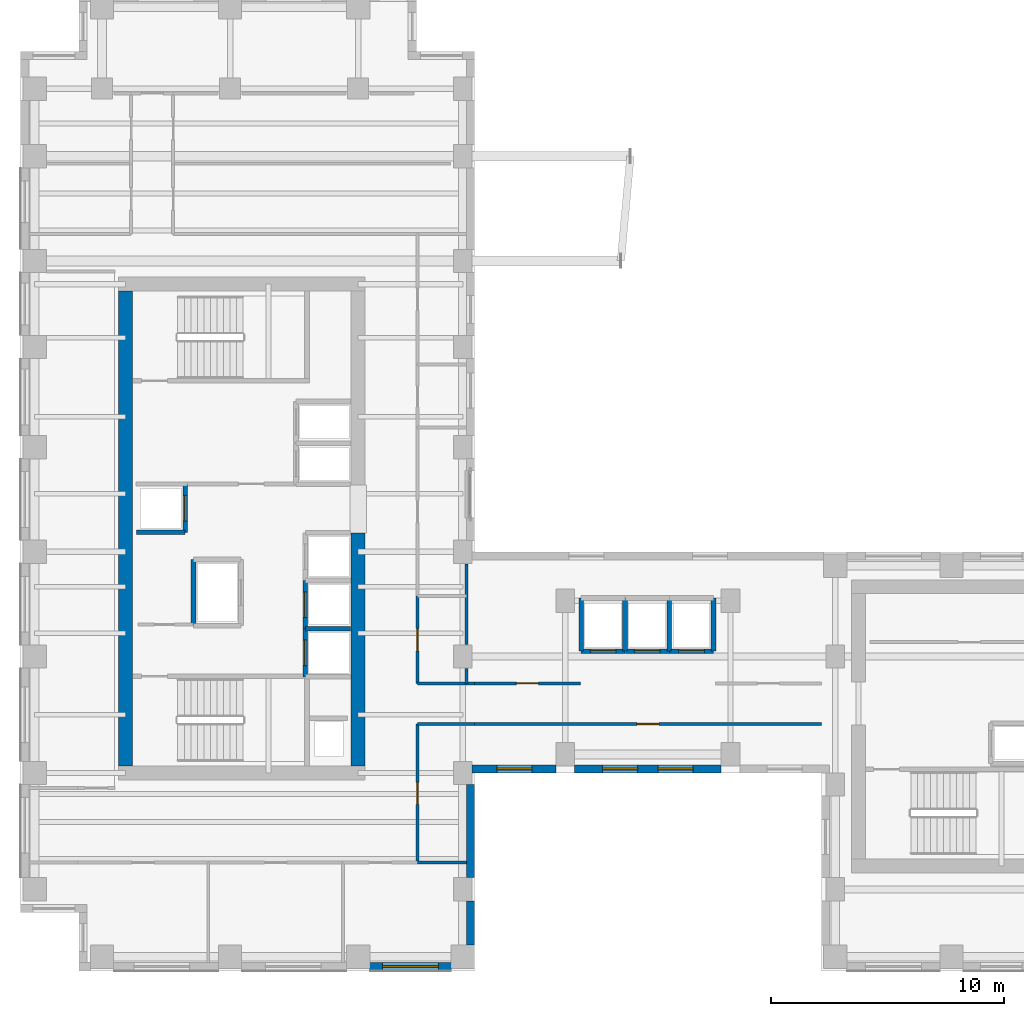
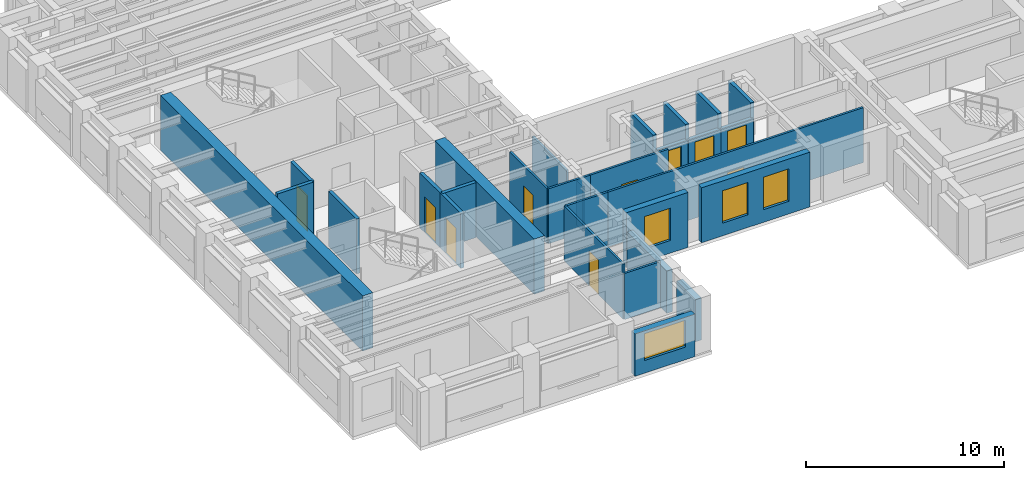
# One storey, part 7 of 14: 29 walls, 10 doors, 4 windows, 14 openings.
"""IFC4 building model written with IfcOpenShell, lengths in metres."""

from ifc_helpers import new_model, si_unit, direction, frame, frame_2d, origin, place, context, subcontext, project, spatial, rectangle, extrude, source, transform, mapped, material, layer, layer_set, type_object, element, fill, save


model = new_model("IFC4")

# Units and contexts
model_context = context("Model", 3, precision=1e-05, world=origin(), true_north=direction((0.0, 1.0)))
body_context = subcontext(model_context, "Body", "Model", "MODEL_VIEW")
ifc_project = project(units=[si_unit("LENGTHUNIT", "METRE"), si_unit("AREAUNIT", "SQUARE_METRE"), si_unit("VOLUMEUNIT", "CUBIC_METRE"), si_unit("PLANEANGLEUNIT", "RADIAN"), si_unit("MASSUNIT", "GRAM", prefix="KILO")], contexts=[model_context])

# Site, building, storey
site_placement = place(None, origin())
site = spatial("IfcSite", under=ifc_project, at=site_placement, CompositionType="ELEMENT")
building_placement = place(site_placement, origin())
building = spatial("IfcBuilding", under=site, at=building_placement, Name="Kharzan Plaza Tower", CompositionType="ELEMENT")
storey_placement = place(building_placement, frame((0.0, 0.0, 168.300048828125)))
storey = spatial("IfcBuildingStorey", under=building, at=storey_placement, Name="L45", CompositionType="ELEMENT", Elevation=168.300048828125)

# Wall, opening, window
ifc_material_1 = material(Name="Concrete C40/50", Category="concrete")
ifc_layer_1 = layer(ifc_material_1, 0.35009765625)
ifc_layer_set_1 = layer_set([ifc_layer_1], Name="Concrete C40/50")
wall_type_1 = type_object("IfcWallType", Name="WL-EXT-MAS-Z3", PredefinedType="SOLIDWALL", material=ifc_layer_set_1)
wall_1_placement = place(storey_placement, frame((14.998046875, 0.175048828125, 0.0), z_axis=(0.0, 0.0, 1.0), x_axis=(1.0, 0.0, 0.0)))
wall_1 = element("IfcWall", 1, at=wall_1_placement, inside=storey, type_object=wall_type_1, Name="L45 Masonry-Frame Exterior Wall 23", PredefinedType="SOLIDWALL", context=body_context, shape_type="SweptSolid", body=[
    extrude(rectangle(XDim=3.50390625, YDim=0.35009765625, at=frame_2d((1.751953125, 0.0))), origin(), (0.0, 0.0, 1.0), 2.612060546875),
])
opening_1_placement = place(wall_1_placement, frame((0.552001953125, 0.0, 0.780029296875)))
opening_1 = element("IfcOpeningElement", 2, at=opening_1_placement, cuts=wall_1, Name="Opening W2", PredefinedType="OPENING", context=body_context, shape_type="SweptSolid", body=[
    extrude(rectangle(XDim=2.39990234375, YDim=1.652099609375, at=frame_2d((1.199951171875, 0.826171875))), frame((0.0, 0.18505859375, 0.0), z_axis=(0.0, -1.0, 0.0), x_axis=(1.0, 0.0, 0.0)), (0.0, 0.0, 1.0), 0.3701171875),
])
ifc_material_2 = material(Name="Low-E Double Glazing", Category="glass")
window_type_1 = type_object("IfcWindowType", Name="WN-REC-2400x2100", PartitioningType="SINGLE_PANEL", PredefinedType="WINDOW", material=ifc_material_2)
shared_shape_1 = source(origin(), body_context, "Body", "SweptSolid", [
    extrude(rectangle(XDim=2.39990234375, YDim=1.652099609375, at=frame_2d((1.199951171875, 0.826171875))), frame((0.0, 0.030029296875, 0.0), z_axis=(0.0, -1.0, 0.0), x_axis=(1.0, 0.0, 0.0)), (0.0, 0.0, 1.0), 0.06005859375),
])
window_1_placement = place(opening_1_placement, origin())
window_1 = element("IfcWindow", 3, at=window_1_placement, inside=storey, type_object=window_type_1, Name="L45 Wide Recessed Solar-Control Window 23-1", OverallHeight=1.652099609375, OverallWidth=2.39990234375, PartitioningType="SINGLE_PANEL", PredefinedType="WINDOW", context=body_context, shape_type="MappedRepresentation", body=[
    mapped(shared_shape_1, transform((0.0, 0.0, 0.0), x_axis=(1.0, 0.0, 0.0), y_axis=(0.0, 1.0, 0.0), z_axis=(0.0, 0.0, 1.0))),
])
fill(opening_1, window_1)

wall_2_placement = place(storey_placement, frame((19.39794921875, 8.675048828125, 0.0), z_axis=(0.0, 0.0, 1.0), x_axis=(1.0, 0.0, 0.0)))
wall_2 = element("IfcWall", 4, at=wall_2_placement, inside=storey, type_object=wall_type_1, Name="L45 Masonry-Frame Exterior Wall 26", PredefinedType="SOLIDWALL", context=body_context, shape_type="SweptSolid", body=[
    extrude(rectangle(XDim=3.60400390625, YDim=0.35009765625, at=frame_2d((1.802001953125, 0.0))), origin(), (0.0, 0.0, 1.0), 3.385009765625),
])
opening_2_placement = place(wall_2_placement, frame((1.067138671875, 0.0, 0.780029296875)))
opening_2 = element("IfcOpeningElement", 5, at=opening_2_placement, cuts=wall_2, Name="Opening W5", PredefinedType="OPENING", context=body_context, shape_type="SweptSolid", body=[
    extrude(rectangle(XDim=1.5, YDim=2.0, at=frame_2d((0.75, 1.0))), frame((0.0, 0.18505859375, 0.0), z_axis=(0.0, -1.0, 0.0), x_axis=(1.0, 0.0, 0.0)), (0.0, 0.0, 1.0), 0.3701171875),
])
window_type_2 = type_object("IfcWindowType", Name="WN-SLT-1500x2000", PartitioningType="SINGLE_PANEL", PredefinedType="WINDOW", material=ifc_material_2)
shared_shape_2 = source(origin(), body_context, "Body", "SweptSolid", [
    extrude(rectangle(XDim=1.5, YDim=2.0, at=frame_2d((0.75, 1.0))), frame((0.0, 0.030029296875, 0.0), z_axis=(0.0, -1.0, 0.0), x_axis=(1.0, 0.0, 0.0)), (0.0, 0.0, 1.0), 0.06005859375),
])
window_2_placement = place(opening_2_placement, origin())
window_2 = element("IfcWindow", 6, at=window_2_placement, inside=storey, type_object=window_type_2, Name="L45 Recessed Solar-Control Window 26-1", OverallHeight=2.0, OverallWidth=1.5, PartitioningType="SINGLE_PANEL", PredefinedType="WINDOW", context=body_context, shape_type="MappedRepresentation", body=[
    mapped(shared_shape_2, transform((0.0, 0.0, 0.0), x_axis=(1.0, 0.0, 0.0), y_axis=(0.0, 1.0, 0.0), z_axis=(0.0, 0.0, 1.0))),
])
fill(opening_2, window_2)

# Wall, openings, windows
wall_3_placement = place(storey_placement, frame((23.798095703125, 8.675048828125, 0.0), z_axis=(0.0, 0.0, 1.0), x_axis=(1.0, 0.0, 0.0)))
wall_3 = element("IfcWall", 7, at=wall_3_placement, inside=storey, type_object=wall_type_1, Name="L45 Masonry-Frame Exterior Wall 27", PredefinedType="SOLIDWALL", context=body_context, shape_type="SweptSolid", body=[
    extrude(rectangle(XDim=6.303955078125, YDim=0.35009765625, at=frame_2d((3.15185546875, 0.0))), origin(), (0.0, 0.0, 1.0), 3.385009765625),
])
opening_3_placement = place(wall_3_placement, frame((1.2080078125, 0.0, 0.780029296875)))
opening_3 = element("IfcOpeningElement", 8, at=opening_3_placement, cuts=wall_3, Name="Opening W5", PredefinedType="OPENING", context=body_context, shape_type="SweptSolid", body=[
    extrude(rectangle(XDim=1.5, YDim=2.0, at=frame_2d((0.75, 1.0))), frame((0.0, 0.18505859375, 0.0), z_axis=(0.0, -1.0, 0.0), x_axis=(1.0, 0.0, 0.0)), (0.0, 0.0, 1.0), 0.3701171875),
])
opening_4_placement = place(wall_3_placement, frame((3.595947265625, 0.0, 0.780029296875)))
opening_4 = element("IfcOpeningElement", 9, at=opening_4_placement, cuts=wall_3, Name="Opening W5", PredefinedType="OPENING", context=body_context, shape_type="SweptSolid", body=[
    extrude(rectangle(XDim=1.5, YDim=2.0, at=frame_2d((0.75, 1.0))), frame((0.0, 0.18505859375, 0.0), z_axis=(0.0, -1.0, 0.0), x_axis=(1.0, 0.0, 0.0)), (0.0, 0.0, 1.0), 0.3701171875),
])
window_3_placement = place(opening_3_placement, origin())
window_3 = element("IfcWindow", 10, at=window_3_placement, inside=storey, type_object=window_type_2, Name="L45 Recessed Solar-Control Window 27-1", OverallHeight=2.0, OverallWidth=1.5, PartitioningType="SINGLE_PANEL", PredefinedType="WINDOW", context=body_context, shape_type="MappedRepresentation", body=[
    mapped(shared_shape_2, transform((0.0, 0.0, 0.0), x_axis=(1.0, 0.0, 0.0), y_axis=(0.0, 1.0, 0.0), z_axis=(0.0, 0.0, 1.0))),
])
fill(opening_3, window_3)
window_4_placement = place(opening_4_placement, origin())
window_4 = element("IfcWindow", 11, at=window_4_placement, inside=storey, type_object=window_type_2, Name="L45 Recessed Solar-Control Window 27-2", OverallHeight=2.0, OverallWidth=1.5, PartitioningType="SINGLE_PANEL", PredefinedType="WINDOW", context=body_context, shape_type="MappedRepresentation", body=[
    mapped(shared_shape_2, transform((0.0, 0.0, 0.0), x_axis=(1.0, 0.0, 0.0), y_axis=(0.0, 1.0, 0.0), z_axis=(0.0, 0.0, 1.0))),
])
fill(opening_4, window_4)

# Wall, opening, door
ifc_material_3 = material(Name="Fire-Rated Gypsum Board Partition", Category="gypsum")
ifc_layer_2 = layer(ifc_material_3, 0.125)
ifc_layer_set_2 = layer_set([ifc_layer_2], Name="Fire-Rated Gypsum Board Partition")
wall_type_2 = type_object("IfcWallType", Name="WL-INT-PART-125", PredefinedType="PARTITIONING", material=ifc_layer_set_2)
wall_4_placement = place(storey_placement, frame((17.050048828125, 12.35009765625, 0.0), z_axis=(0.0, 0.0, 1.0), x_axis=(0.0, 1.0, 0.0)))
wall_4 = element("IfcWall", 12, at=wall_4_placement, inside=storey, type_object=wall_type_2, Name="L45 Interior Partition SH-AEWN1", PredefinedType="PARTITIONING", context=body_context, shape_type="SweptSolid", body=[
    extrude(rectangle(XDim=3.75, YDim=0.125, at=frame_2d((1.875, 0.0))), origin(), (0.0, 0.0, 1.0), 3.385009765625),
])
opening_5_placement = place(wall_4_placement, frame((1.39990234375, 0.0, 0.0)))
opening_5 = element("IfcOpeningElement", 13, at=opening_5_placement, cuts=wall_4, Name="Opening OD1", PredefinedType="OPENING", context=body_context, shape_type="SweptSolid", body=[
    extrude(rectangle(XDim=0.949951171875, YDim=2.14990234375, at=frame_2d((0.47509765625, 1.074951171875))), frame((0.0, 0.072509765625, 0.0), z_axis=(0.0, -1.0, 0.0), x_axis=(1.0, 0.0, 0.0)), (0.0, 0.0, 1.0), 0.14501953125),
])
ifc_material_4 = material(Name="Acoustic Solid-Core Stained Oak", Category="timber")
door_type_1 = type_object("IfcDoorType", Name="DR-OFF-SINGLE", OperationType="NOTDEFINED", PredefinedType="DOOR", material=ifc_material_4)
shared_shape_3 = source(origin(), body_context, "Body", "SweptSolid", [
    extrude(rectangle(XDim=0.949951171875, YDim=2.14990234375, at=frame_2d((0.47509765625, 1.074951171875))), frame((0.0, 0.02490234375, 0.0), z_axis=(0.0, -1.0, 0.0), x_axis=(1.0, 0.0, 0.0)), (0.0, 0.0, 1.0), 0.050048828125),
])
door_1_placement = place(opening_5_placement, origin())
door_1 = element("IfcDoor", 14, at=door_1_placement, inside=storey, type_object=door_type_1, Name="L45 Slot Collaboration Door", OperationType="SINGLE_SWING_RIGHT", OverallHeight=2.14990234375, OverallWidth=0.949951171875, PredefinedType="DOOR", context=body_context, shape_type="MappedRepresentation", body=[
    mapped(shared_shape_3, transform((0.0, 0.0, 0.0), x_axis=(1.0, 0.0, 0.0), y_axis=(0.0, 1.0, 0.0), z_axis=(0.0, 0.0, 1.0))),
])
fill(opening_5, door_1)

wall_5_placement = place(storey_placement, frame((17.050048828125, 4.64990234375, 0.0), z_axis=(0.0, 0.0, 1.0), x_axis=(0.0, 1.0, 0.0)))
wall_5 = element("IfcWall", 15, at=wall_5_placement, inside=storey, type_object=wall_type_2, Name="L45 Interior Partition SH-AEWS", PredefinedType="PARTITIONING", context=body_context, shape_type="SweptSolid", body=[
    extrude(rectangle(XDim=5.9501953125, YDim=0.125, at=frame_2d((2.97509765625, 0.0))), origin(), (0.0, 0.0, 1.0), 3.385009765625),
])
opening_6_placement = place(wall_5_placement, frame((2.5, 0.0, 0.0)))
opening_6 = element("IfcOpeningElement", 16, at=opening_6_placement, cuts=wall_5, Name="Opening OD1", PredefinedType="OPENING", context=body_context, shape_type="SweptSolid", body=[
    extrude(rectangle(XDim=0.949951171875, YDim=2.14990234375, at=frame_2d((0.47509765625, 1.074951171875))), frame((0.0, 0.072509765625, 0.0), z_axis=(0.0, -1.0, 0.0), x_axis=(1.0, 0.0, 0.0)), (0.0, 0.0, 1.0), 0.14501953125),
])
door_2_placement = place(opening_6_placement, origin())
door_2 = element("IfcDoor", 17, at=door_2_placement, inside=storey, type_object=door_type_1, Name="L45 Slot South Office Door", OperationType="SINGLE_SWING_LEFT", OverallHeight=2.14990234375, OverallWidth=0.949951171875, PredefinedType="DOOR", context=body_context, shape_type="MappedRepresentation", body=[
    mapped(shared_shape_3, transform((0.0, 0.0, 0.0), x_axis=(1.0, 0.0, 0.0), y_axis=(0.0, 1.0, 0.0), z_axis=(0.0, 0.0, 1.0))),
])
fill(opening_6, door_2)

wall_6_placement = place(storey_placement, frame((19.5, 12.35009765625, 0.0), z_axis=(0.0, 0.0, 1.0), x_axis=(1.0, 0.0, 0.0)))
wall_6 = element("IfcWall", 18, at=wall_6_placement, inside=storey, type_object=wall_type_2, Name="L45 Interior Partition SH-SPNW1", PredefinedType="PARTITIONING", context=body_context, shape_type="SweptSolid", body=[
    extrude(rectangle(XDim=4.550048828125, YDim=0.125, at=frame_2d((2.27490234375, 0.0))), origin(), (0.0, 0.0, 1.0), 3.385009765625),
])
opening_7_placement = place(wall_6_placement, frame((1.800048828125, 0.0, 0.0)))
opening_7 = element("IfcOpeningElement", 19, at=opening_7_placement, cuts=wall_6, Name="Opening OD1", PredefinedType="OPENING", context=body_context, shape_type="SweptSolid", body=[
    extrude(rectangle(XDim=0.949951171875, YDim=2.14990234375, at=frame_2d((0.47509765625, 1.074951171875))), frame((0.0, 0.072509765625, 0.0), z_axis=(0.0, -1.0, 0.0), x_axis=(1.0, 0.0, 0.0)), (0.0, 0.0, 1.0), 0.14501953125),
])
door_3_placement = place(opening_7_placement, origin())
door_3 = element("IfcDoor", 20, at=door_3_placement, inside=storey, type_object=door_type_1, Name="L45 North-West Spine Door", OperationType="SINGLE_SWING_LEFT", OverallHeight=2.14990234375, OverallWidth=0.949951171875, PredefinedType="DOOR", context=body_context, shape_type="MappedRepresentation", body=[
    mapped(shared_shape_3, transform((0.0, 0.0, 0.0), x_axis=(1.0, 0.0, 0.0), y_axis=(0.0, 1.0, 0.0), z_axis=(0.0, 0.0, 1.0))),
])
fill(opening_7, door_3)

wall_7_placement = place(storey_placement, frame((19.5, 10.60009765625, 0.0), z_axis=(0.0, 0.0, 1.0), x_axis=(1.0, 0.0, 0.0)))
wall_7 = element("IfcWall", 21, at=wall_7_placement, inside=storey, type_object=wall_type_2, Name="L45 Interior Partition SH-SPS1", PredefinedType="PARTITIONING", context=body_context, shape_type="SweptSolid", body=[
    extrude(rectangle(XDim=14.89990234375, YDim=0.125, at=frame_2d((7.449951171875, 0.0))), origin(), (0.0, 0.0, 1.0), 3.385009765625),
])
opening_8_placement = place(wall_7_placement, frame((6.97509765625, 0.0, 0.0)))
opening_8 = element("IfcOpeningElement", 22, at=opening_8_placement, cuts=wall_7, Name="Opening OD1", PredefinedType="OPENING", context=body_context, shape_type="SweptSolid", body=[
    extrude(rectangle(XDim=0.949951171875, YDim=2.14990234375, at=frame_2d((0.47509765625, 1.074951171875))), frame((0.0, 0.072509765625, 0.0), z_axis=(0.0, -1.0, 0.0), x_axis=(1.0, 0.0, 0.0)), (0.0, 0.0, 1.0), 0.14501953125),
])
door_4_placement = place(opening_8_placement, origin())
door_4 = element("IfcDoor", 23, at=door_4_placement, inside=storey, type_object=door_type_1, Name="L45 South Spine Studio Door", OperationType="SINGLE_SWING_RIGHT", OverallHeight=2.14990234375, OverallWidth=0.949951171875, PredefinedType="DOOR", context=body_context, shape_type="MappedRepresentation", body=[
    mapped(shared_shape_3, transform((0.0, 0.0, 0.0), x_axis=(1.0, 0.0, 0.0), y_axis=(0.0, 1.0, 0.0), z_axis=(0.0, 0.0, 1.0))),
])
fill(opening_8, door_4)

ifc_layer_3 = layer(ifc_material_1, 0.199951171875)
ifc_layer_set_3 = layer_set([ifc_layer_3], Name="Concrete C40/50")
wall_type_3 = type_object("IfcWallType", Name="WL-INT-SHAFT-200", PredefinedType="PARTITIONING", material=ifc_layer_set_3)
wall_8_placement = place(storey_placement, frame((12.22998046875, 12.6298828125, 0.0), z_axis=(0.0, 0.0, 1.0), x_axis=(0.0, 1.0, 0.0)))
wall_8 = element("IfcWall", 24, at=wall_8_placement, inside=storey, type_object=wall_type_3, Name="L45 Interior Partition SHF-PL-H1-W", PredefinedType="PARTITIONING", context=body_context, shape_type="SweptSolid", body=[
    extrude(rectangle(XDim=2.070068359375, YDim=0.199951171875, at=frame_2d((1.03515625, 0.0))), origin(), (0.0, 0.0, 1.0), 3.385009765625),
])
opening_9_placement = place(wall_8_placement, frame((0.485107421875, 0.0, 0.0)))
opening_9 = element("IfcOpeningElement", 25, at=opening_9_placement, cuts=wall_8, Name="Opening LD", PredefinedType="OPENING", context=body_context, shape_type="SweptSolid", body=[
    extrude(rectangle(XDim=1.10009765625, YDim=2.199951171875, at=frame_2d((0.550048828125, 1.10009765625))), frame((0.0, 0.10986328125, 0.0), z_axis=(0.0, -1.0, 0.0), x_axis=(1.0, 0.0, 0.0)), (0.0, 0.0, 1.0), 0.219970703125),
])
ifc_material_5 = material(Name="Brushed Stainless Steel", Category="steel")
door_type_2 = type_object("IfcDoorType", Name="DR-LIFT-SLIDE", OperationType="SLIDING_TO_LEFT", PredefinedType="DOOR", material=ifc_material_5)
shared_shape_4 = source(origin(), body_context, "Body", "SweptSolid", [
    extrude(rectangle(XDim=1.10009765625, YDim=2.199951171875, at=frame_2d((0.550048828125, 1.10009765625))), frame((0.0, 0.02490234375, 0.0), z_axis=(0.0, -1.0, 0.0), x_axis=(1.0, 0.0, 0.0)), (0.0, 0.0, 1.0), 0.050048828125),
])
door_5_placement = place(opening_9_placement, origin())
door_5 = element("IfcDoor", 26, at=door_5_placement, inside=storey, type_object=door_type_2, Name="L45 High-Rise Passenger Lift PL-H1 Sliding Landing Door", OperationType="SLIDING_TO_LEFT", OverallHeight=2.199951171875, OverallWidth=1.10009765625, PredefinedType="DOOR", context=body_context, shape_type="MappedRepresentation", body=[
    mapped(shared_shape_4, transform((0.0, 0.0, 0.0), x_axis=(1.0, 0.0, 0.0), y_axis=(0.0, 1.0, 0.0), z_axis=(0.0, 0.0, 1.0))),
])
fill(opening_9, door_5)

wall_9_placement = place(storey_placement, frame((12.22998046875, 14.699951171875, 0.0), z_axis=(0.0, 0.0, 1.0), x_axis=(0.0, 1.0, 0.0)))
wall_9 = element("IfcWall", 27, at=wall_9_placement, inside=storey, type_object=wall_type_3, Name="L45 Interior Partition SHF-PL-H2-W", PredefinedType="PARTITIONING", context=body_context, shape_type="SweptSolid", body=[
    extrude(rectangle(XDim=2.070068359375, YDim=0.199951171875, at=frame_2d((1.03515625, 0.0))), origin(), (0.0, 0.0, 1.0), 3.385009765625),
])
opening_10_placement = place(wall_9_placement, frame((0.485107421875, 0.0, 0.0)))
opening_10 = element("IfcOpeningElement", 28, at=opening_10_placement, cuts=wall_9, Name="Opening LD", PredefinedType="OPENING", context=body_context, shape_type="SweptSolid", body=[
    extrude(rectangle(XDim=1.10009765625, YDim=2.199951171875, at=frame_2d((0.550048828125, 1.10009765625))), frame((0.0, 0.10986328125, 0.0), z_axis=(0.0, -1.0, 0.0), x_axis=(1.0, 0.0, 0.0)), (0.0, 0.0, 1.0), 0.219970703125),
])
door_6_placement = place(opening_10_placement, origin())
door_6 = element("IfcDoor", 29, at=door_6_placement, inside=storey, type_object=door_type_2, Name="L45 High-Rise Passenger Lift PL-H2 Sliding Landing Door", OperationType="SLIDING_TO_LEFT", OverallHeight=2.199951171875, OverallWidth=1.10009765625, PredefinedType="DOOR", context=body_context, shape_type="MappedRepresentation", body=[
    mapped(shared_shape_4, transform((0.0, 0.0, 0.0), x_axis=(1.0, 0.0, 0.0), y_axis=(0.0, 1.0, 0.0), z_axis=(0.0, 0.0, 1.0))),
])
fill(opening_10, door_6)

wall_10_placement = place(storey_placement, frame((7.070068359375, 18.840087890625, 0.0), z_axis=(0.0, 0.0, 1.0), x_axis=(0.0, 1.0, 0.0)))
wall_10 = element("IfcWall", 30, at=wall_10_placement, inside=storey, type_object=wall_type_3, Name="L45 Interior Partition SHF-PL-H4-E", PredefinedType="PARTITIONING", context=body_context, shape_type="SweptSolid", body=[
    extrude(rectangle(XDim=2.059814453125, YDim=0.199951171875, at=frame_2d((1.02978515625, 0.0))), origin(), (0.0, 0.0, 1.0), 3.385009765625),
])
opening_11_placement = place(wall_10_placement, frame((0.47998046875, 0.0, 0.0)))
opening_11 = element("IfcOpeningElement", 31, at=opening_11_placement, cuts=wall_10, Name="Opening LD", PredefinedType="OPENING", context=body_context, shape_type="SweptSolid", body=[
    extrude(rectangle(XDim=1.10009765625, YDim=2.199951171875, at=frame_2d((0.550048828125, 1.10009765625))), frame((0.0, 0.10986328125, 0.0), z_axis=(0.0, -1.0, 0.0), x_axis=(1.0, 0.0, 0.0)), (0.0, 0.0, 1.0), 0.219970703125),
])
door_7_placement = place(opening_11_placement, origin())
door_7 = element("IfcDoor", 32, at=door_7_placement, inside=storey, type_object=door_type_2, Name="L45 High-Rise Passenger Lift PL-H4 Sliding Landing Door", OperationType="SLIDING_TO_LEFT", OverallHeight=2.199951171875, OverallWidth=1.10009765625, PredefinedType="DOOR", context=body_context, shape_type="MappedRepresentation", body=[
    mapped(shared_shape_4, transform((0.0, 0.0, 0.0), x_axis=(1.0, 0.0, 0.0), y_axis=(0.0, 1.0, 0.0), z_axis=(0.0, 0.0, 1.0))),
])
fill(opening_11, door_7)

wall_11_placement = place(storey_placement, frame((24.080078125, 13.72998046875, 0.0), z_axis=(0.0, 0.0, 1.0), x_axis=(1.0, 0.0, 0.0)))
wall_11 = element("IfcWall", 33, at=wall_11_placement, inside=storey, type_object=wall_type_3, Name="L45 Interior Partition SHF-PL-M1-S", PredefinedType="PARTITIONING", context=body_context, shape_type="SweptSolid", body=[
    extrude(rectangle(XDim=1.889892578125, YDim=0.199951171875, at=frame_2d((0.94482421875, 0.0))), origin(), (0.0, 0.0, 1.0), 2.466064453125),
])
opening_12_placement = place(wall_11_placement, frame((0.39501953125, 0.0, 0.0)))
opening_12 = element("IfcOpeningElement", 34, at=opening_12_placement, cuts=wall_11, Name="Opening LD", PredefinedType="OPENING", context=body_context, shape_type="SweptSolid", body=[
    extrude(rectangle(XDim=1.10009765625, YDim=2.199951171875, at=frame_2d((0.550048828125, 1.10009765625))), frame((0.0, 0.10986328125, 0.0), z_axis=(0.0, -1.0, 0.0), x_axis=(1.0, 0.0, 0.0)), (0.0, 0.0, 1.0), 0.219970703125),
])
door_8_placement = place(opening_12_placement, origin())
door_8 = element("IfcDoor", 35, at=door_8_placement, inside=storey, type_object=door_type_2, Name="L45 Mid-Rise Passenger Lift PL-M1 Sliding Landing Door", OperationType="SLIDING_TO_LEFT", OverallHeight=2.199951171875, OverallWidth=1.10009765625, PredefinedType="DOOR", context=body_context, shape_type="MappedRepresentation", body=[
    mapped(shared_shape_4, transform((0.0, 0.0, 0.0), x_axis=(1.0, 0.0, 0.0), y_axis=(0.0, 1.0, 0.0), z_axis=(0.0, 0.0, 1.0))),
])
fill(opening_12, door_8)

wall_12_placement = place(storey_placement, frame((25.97998046875, 13.72998046875, 0.0), z_axis=(0.0, 0.0, 1.0), x_axis=(1.0, 0.0, 0.0)))
wall_12 = element("IfcWall", 36, at=wall_12_placement, inside=storey, type_object=wall_type_3, Name="L45 Interior Partition SHF-PL-M2-S", PredefinedType="PARTITIONING", context=body_context, shape_type="SweptSolid", body=[
    extrude(rectangle(XDim=1.89013671875, YDim=0.199951171875, at=frame_2d((0.945068359375, 0.0))), origin(), (0.0, 0.0, 1.0), 2.466064453125),
])
opening_13_placement = place(wall_12_placement, frame((0.39501953125, 0.0, 0.0)))
opening_13 = element("IfcOpeningElement", 37, at=opening_13_placement, cuts=wall_12, Name="Opening LD", PredefinedType="OPENING", context=body_context, shape_type="SweptSolid", body=[
    extrude(rectangle(XDim=1.10009765625, YDim=2.199951171875, at=frame_2d((0.550048828125, 1.10009765625))), frame((0.0, 0.10986328125, 0.0), z_axis=(0.0, -1.0, 0.0), x_axis=(1.0, 0.0, 0.0)), (0.0, 0.0, 1.0), 0.219970703125),
])
door_9_placement = place(opening_13_placement, origin())
door_9 = element("IfcDoor", 38, at=door_9_placement, inside=storey, type_object=door_type_2, Name="L45 Mid-Rise Passenger Lift PL-M2 Sliding Landing Door", OperationType="SLIDING_TO_LEFT", OverallHeight=2.199951171875, OverallWidth=1.10009765625, PredefinedType="DOOR", context=body_context, shape_type="MappedRepresentation", body=[
    mapped(shared_shape_4, transform((0.0, 0.0, 0.0), x_axis=(1.0, 0.0, 0.0), y_axis=(0.0, 1.0, 0.0), z_axis=(0.0, 0.0, 1.0))),
])
fill(opening_13, door_9)

wall_13_placement = place(storey_placement, frame((27.8798828125, 13.72998046875, 0.0), z_axis=(0.0, 0.0, 1.0), x_axis=(1.0, 0.0, 0.0)))
wall_13 = element("IfcWall", 39, at=wall_13_placement, inside=storey, type_object=wall_type_3, Name="L45 Interior Partition SHF-PL-M3-S", PredefinedType="PARTITIONING", context=body_context, shape_type="SweptSolid", body=[
    extrude(rectangle(XDim=1.89013671875, YDim=0.199951171875, at=frame_2d((0.945068359375, 0.0))), origin(), (0.0, 0.0, 1.0), 2.466064453125),
])
opening_14_placement = place(wall_13_placement, frame((0.39501953125, 0.0, 0.0)))
opening_14 = element("IfcOpeningElement", 40, at=opening_14_placement, cuts=wall_13, Name="Opening LD", PredefinedType="OPENING", context=body_context, shape_type="SweptSolid", body=[
    extrude(rectangle(XDim=1.10009765625, YDim=2.199951171875, at=frame_2d((0.550048828125, 1.10009765625))), frame((0.0, 0.10986328125, 0.0), z_axis=(0.0, -1.0, 0.0), x_axis=(1.0, 0.0, 0.0)), (0.0, 0.0, 1.0), 0.219970703125),
])
door_10_placement = place(opening_14_placement, origin())
door_10 = element("IfcDoor", 41, at=door_10_placement, inside=storey, type_object=door_type_2, Name="L45 Mid-Rise Passenger Lift PL-M3 Sliding Landing Door", OperationType="SLIDING_TO_LEFT", OverallHeight=2.199951171875, OverallWidth=1.10009765625, PredefinedType="DOOR", context=body_context, shape_type="MappedRepresentation", body=[
    mapped(shared_shape_4, transform((0.0, 0.0, 0.0), x_axis=(1.0, 0.0, 0.0), y_axis=(0.0, 1.0, 0.0), z_axis=(0.0, 0.0, 1.0))),
])
fill(opening_14, door_10)

# Walls
ifc_material_6 = material(Name="Concrete C50/60", Category="concrete")
ifc_layer_4 = layer(ifc_material_6, 0.60009765625)
ifc_layer_set_4 = layer_set([ifc_layer_4], Name="Concrete C50/60")
wall_type_4 = type_object("IfcWallType", Name="WL-CORE-600", PredefinedType="SHEAR", material=ifc_layer_set_4)
shared_shape_5 = source(origin(), body_context, "Body", "SweptSolid", [
    extrude(rectangle(XDim=10.02001953125, YDim=0.60009765625, at=frame_2d((5.010009765625, 0.0))), origin(), (0.0, 0.0, 1.0), 3.39990234375),
])
wall_14_placement = place(storey_placement, frame((14.5, 8.800048828125, 0.0), z_axis=(0.0, 0.0, 1.0), x_axis=(0.0, 1.0, 0.0)))
element("IfcWall", 42, at=wall_14_placement, inside=storey, type_object=wall_type_4, Name="L45 CORE-A east shear pier 1", PredefinedType="SHEAR", context=body_context, shape_type="MappedRepresentation", body=[
    mapped(shared_shape_5, transform((0.0, 0.0, 0.0), x_axis=(1.0, 0.0, 0.0), y_axis=(0.0, 1.0, 0.0), z_axis=(0.0, 0.0, 1.0))),
])
shared_shape_6 = source(origin(), body_context, "Body", "SweptSolid", [
    extrude(rectangle(XDim=20.39990234375, YDim=0.60009765625, at=frame_2d((10.199951171875, 0.0))), origin(), (0.0, 0.0, 1.0), 3.39990234375),
])
wall_15_placement = place(storey_placement, frame((4.5, 8.800048828125, 0.0), z_axis=(0.0, 0.0, 1.0), x_axis=(0.0, 1.0, 0.0)))
element("IfcWall", 43, at=wall_15_placement, inside=storey, type_object=wall_type_4, Name="L45 CORE-A west RC shear wall", PredefinedType="SHEAR", context=body_context, shape_type="MappedRepresentation", body=[
    mapped(shared_shape_6, transform((0.0, 0.0, 0.0), x_axis=(1.0, 0.0, 0.0), y_axis=(0.0, 1.0, 0.0), z_axis=(0.0, 0.0, 1.0))),
])
shared_shape_7 = source(origin(), body_context, "Body", "SweptSolid", [
    extrude(rectangle(XDim=0.6298828125, YDim=0.125, at=frame_2d((0.31494140625, 0.0))), origin(), (0.0, 0.0, 1.0), 2.77294921875),
])
wall_16_placement = place(storey_placement, frame((19.14990234375, 12.35009765625, 0.0), z_axis=(0.0, 0.0, 1.0), x_axis=(0.0, 1.0, 0.0)))
element("IfcWall", 44, at=wall_16_placement, inside=storey, type_object=wall_type_2, Name="L45 Interior Partition SH-AEN-DIV-S1", PredefinedType="PARTITIONING", context=body_context, shape_type="MappedRepresentation", body=[
    mapped(shared_shape_7, transform((0.0, 0.0, 0.0), x_axis=(1.0, 0.0, 0.0), y_axis=(0.0, 1.0, 0.0), z_axis=(0.0, 0.0, 1.0))),
])
shared_shape_8 = source(origin(), body_context, "Body", "SweptSolid", [
    extrude(rectangle(XDim=3.4599609375, YDim=0.125, at=frame_2d((1.72998046875, 0.0))), origin(), (0.0, 0.0, 1.0), 2.77294921875),
])
wall_17_placement = place(storey_placement, frame((19.14990234375, 14.02001953125, 0.0), z_axis=(0.0, 0.0, 1.0), x_axis=(0.0, 1.0, 0.0)))
element("IfcWall", 45, at=wall_17_placement, inside=storey, type_object=wall_type_2, Name="L45 Interior Partition SH-AEN-DIV-S2", PredefinedType="PARTITIONING", context=body_context, shape_type="MappedRepresentation", body=[
    mapped(shared_shape_8, transform((0.0, 0.0, 0.0), x_axis=(1.0, 0.0, 0.0), y_axis=(0.0, 1.0, 0.0), z_axis=(0.0, 0.0, 1.0))),
])
shared_shape_9 = source(origin(), body_context, "Body", "SweptSolid", [
    extrude(rectangle(XDim=2.449951171875, YDim=0.125, at=frame_2d((1.22509765625, 0.0))), origin(), (0.0, 0.0, 1.0), 3.385009765625),
])
for number, where, z_axis, x_axis, name in (
    (46, (17.050048828125, 12.35009765625, 0.0), (0.0, 0.0, 1.0), (1.0, 0.0, 0.0), "L45 Interior Partition SH-SPNW0"),
    (47, (17.050048828125, 10.60009765625, 0.0), (0.0, 0.0, 1.0), (1.0, 0.0, 0.0), "L45 Interior Partition SH-SPS0"),
):
    element("IfcWall", number, at=place(storey_placement, frame(where, z_axis=z_axis, x_axis=x_axis)), inside=storey, type_object=wall_type_2, Name=name, PredefinedType="PARTITIONING", context=body_context, shape_type="MappedRepresentation", body=[
        mapped(shared_shape_9, transform((0.0, 0.0, 0.0), x_axis=(1.0, 0.0, 0.0), y_axis=(0.0, 1.0, 0.0), z_axis=(0.0, 0.0, 1.0))),
    ])
shared_shape_10 = source(origin(), body_context, "Body", "SweptSolid", [
    extrude(rectangle(XDim=2.097900390625, YDim=0.125, at=frame_2d((1.048828125, 0.0))), origin(), (0.0, 0.0, 1.0), 2.847900390625),
])
wall_18_placement = place(storey_placement, frame((17.050048828125, 4.64990234375, 0.0), z_axis=(0.0, 0.0, 1.0), x_axis=(1.0, 0.0, 0.0)))
element("IfcWall", 48, at=wall_18_placement, inside=storey, type_object=wall_type_2, Name="L45 Interior Partition SH-SSE-3", PredefinedType="PARTITIONING", context=body_context, shape_type="MappedRepresentation", body=[
    mapped(shared_shape_10, transform((0.0, 0.0, 0.0), x_axis=(1.0, 0.0, 0.0), y_axis=(0.0, 1.0, 0.0), z_axis=(0.0, 0.0, 1.0))),
])
shared_shape_11 = source(origin(), body_context, "Body", "SweptSolid", [
    extrude(rectangle(XDim=1.93994140625, YDim=0.199951171875, at=frame_2d((0.969970703125, 0.0))), origin(), (0.0, 0.0, 1.0), 3.385009765625),
])
wall_19_placement = place(storey_placement, frame((12.22998046875, 14.699951171875, 0.0), z_axis=(0.0, 0.0, 1.0), x_axis=(1.0, 0.0, 0.0)))
element("IfcWall", 49, at=wall_19_placement, inside=storey, type_object=wall_type_3, Name="L45 Interior Partition SHF-PL-H1-N", PredefinedType="PARTITIONING", context=body_context, shape_type="MappedRepresentation", body=[
    mapped(shared_shape_11, transform((0.0, 0.0, 0.0), x_axis=(1.0, 0.0, 0.0), y_axis=(0.0, 1.0, 0.0), z_axis=(0.0, 0.0, 1.0))),
])
shared_shape_12 = source(origin(), body_context, "Body", "SweptSolid", [
    extrude(rectangle(XDim=2.090087890625, YDim=0.199951171875, at=frame_2d((1.044921875, 0.0))), origin(), (0.0, 0.0, 1.0), 3.385009765625),
])
wall_20_placement = place(storey_placement, frame((4.97998046875, 18.840087890625, 0.0), z_axis=(0.0, 0.0, 1.0), x_axis=(1.0, 0.0, 0.0)))
element("IfcWall", 50, at=wall_20_placement, inside=storey, type_object=wall_type_3, Name="L45 Interior Partition SHF-PL-H4-S", PredefinedType="PARTITIONING", context=body_context, shape_type="MappedRepresentation", body=[
    mapped(shared_shape_12, transform((0.0, 0.0, 0.0), x_axis=(1.0, 0.0, 0.0), y_axis=(0.0, 1.0, 0.0), z_axis=(0.0, 0.0, 1.0))),
])
shared_shape_13 = source(origin(), body_context, "Body", "SweptSolid", [
    extrude(rectangle(XDim=2.2900390625, YDim=0.199951171875, at=frame_2d((1.14501953125, 0.0))), origin(), (0.0, 0.0, 1.0), 3.385009765625),
])
for number, where, z_axis, x_axis, name in (
    (51, (25.969970703125, 13.72998046875, 0.0), (0.0, 0.0, 1.0), (0.0, 1.0, 0.0), "L45 Interior Partition SHF-PL-M1-E"),
    (52, (24.080078125, 13.72998046875, 0.0), (0.0, 0.0, 1.0), (0.0, 1.0, 0.0), "L45 Interior Partition SHF-PL-M1-W"),
    (53, (27.8701171875, 13.72998046875, 0.0), (0.0, 0.0, 1.0), (0.0, 1.0, 0.0), "L45 Interior Partition SHF-PL-M2-E"),
    (54, (29.77001953125, 13.72998046875, 0.0), (0.0, 0.0, 1.0), (0.0, 1.0, 0.0), "L45 Interior Partition SHF-PL-M3-E"),
):
    element("IfcWall", number, at=place(storey_placement, frame(where, z_axis=z_axis, x_axis=x_axis)), inside=storey, type_object=wall_type_3, Name=name, PredefinedType="PARTITIONING", context=body_context, shape_type="MappedRepresentation", body=[
        mapped(shared_shape_13, transform((0.0, 0.0, 0.0), x_axis=(1.0, 0.0, 0.0), y_axis=(0.0, 1.0, 0.0), z_axis=(0.0, 0.0, 1.0))),
    ])
shared_shape_14 = source(origin(), body_context, "Body", "SweptSolid", [
    extrude(rectangle(XDim=2.83984375, YDim=0.199951171875, at=frame_2d((1.419921875, 0.0))), origin(), (0.0, 0.0, 1.0), 3.385009765625),
])
wall_21_placement = place(storey_placement, frame((7.429931640625, 14.830078125, 0.0), z_axis=(0.0, 0.0, 1.0), x_axis=(0.0, 1.0, 0.0)))
element("IfcWall", 55, at=wall_21_placement, inside=storey, type_object=wall_type_3, Name="L45 Interior Partition SHF-SVL-1-W", PredefinedType="PARTITIONING", context=body_context, shape_type="MappedRepresentation", body=[
    mapped(shared_shape_14, transform((0.0, 0.0, 0.0), x_axis=(1.0, 0.0, 0.0), y_axis=(0.0, 1.0, 0.0), z_axis=(0.0, 0.0, 1.0))),
])
shared_shape_15 = source(origin(), body_context, "Body", "SweptSolid", [
    extrude(rectangle(XDim=1.904052734375, YDim=0.35009765625, at=frame_2d((0.9521484375, 0.0))), origin(), (0.0, 0.0, 1.0), 2.612060546875),
])
wall_22_placement = place(storey_placement, frame((19.324951171875, 1.097900390625, 0.0), z_axis=(0.0, 0.0, 1.0), x_axis=(0.0, 1.0, 0.0)))
element("IfcWall", 56, at=wall_22_placement, inside=storey, type_object=wall_type_1, Name="L45 Masonry-Frame Exterior Wall 24", PredefinedType="SOLIDWALL", context=body_context, shape_type="MappedRepresentation", body=[
    mapped(shared_shape_15, transform((0.0, 0.0, 0.0), x_axis=(1.0, 0.0, 0.0), y_axis=(0.0, 1.0, 0.0), z_axis=(0.0, 0.0, 1.0))),
])
shared_shape_16 = source(origin(), body_context, "Body", "SweptSolid", [
    extrude(rectangle(XDim=4.00390625, YDim=0.35009765625, at=frame_2d((2.001953125, 0.0))), origin(), (0.0, 0.0, 1.0), 2.612060546875),
])
wall_23_placement = place(storey_placement, frame((19.324951171875, 3.998046875, 0.0), z_axis=(0.0, 0.0, 1.0), x_axis=(0.0, 1.0, 0.0)))
element("IfcWall", 57, at=wall_23_placement, inside=storey, type_object=wall_type_1, Name="L45 Masonry-Frame Exterior Wall 25", PredefinedType="SOLIDWALL", context=body_context, shape_type="MappedRepresentation", body=[
    mapped(shared_shape_16, transform((0.0, 0.0, 0.0), x_axis=(1.0, 0.0, 0.0), y_axis=(0.0, 1.0, 0.0), z_axis=(0.0, 0.0, 1.0))),
])

save(model, "model.ifc")
